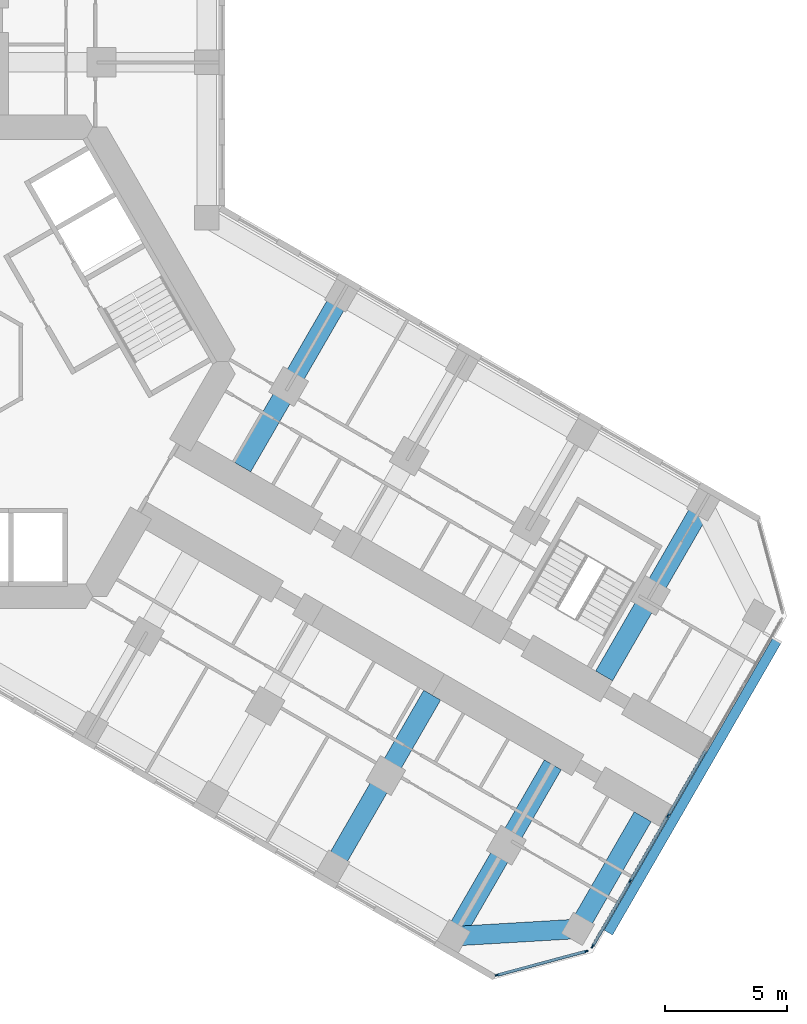
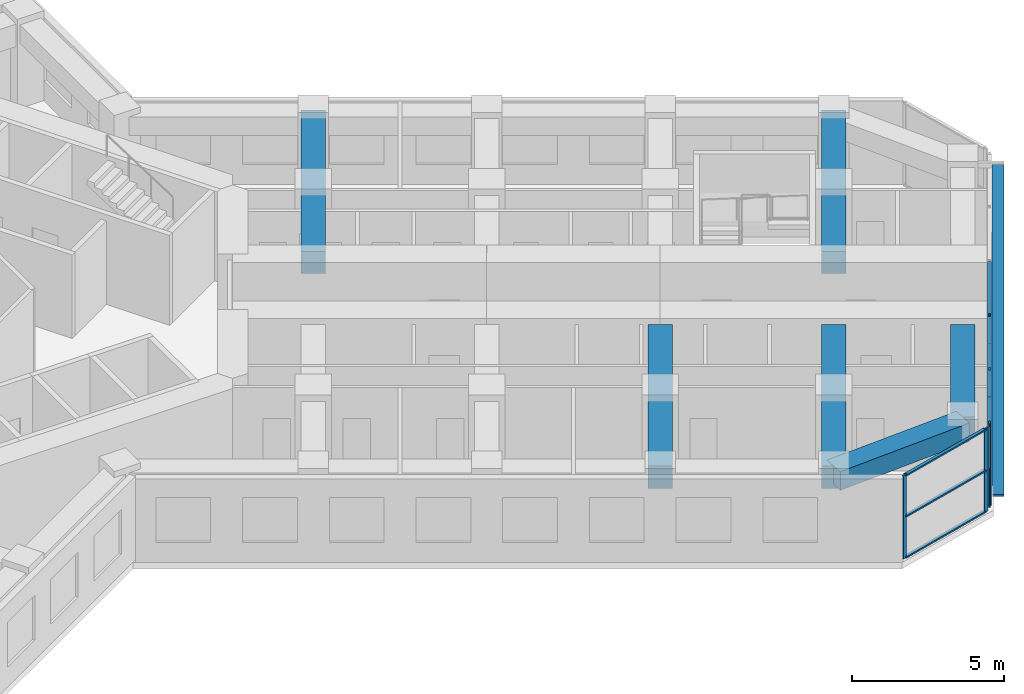
# One storey, part 5 of 21: 15 members, 6 beams, 2 elements without a shape of their own.
"""IFC4 building model written with IfcOpenShell, lengths in metres."""

from ifc_helpers import new_model, si_unit, direction, frame, origin, origin_2d, place, context, subcontext, project, spatial, rectangle, extrude, material, material_profile, profile_set, type_object, element, aggregate, save


model = new_model("IFC4")

# Units and contexts
model_context = context("Model", 3, precision=1e-05, world=origin(), true_north=direction((0.0, 1.0)))
body_context = subcontext(model_context, "Body", "Model", "MODEL_VIEW")
ifc_project = project(units=[si_unit("LENGTHUNIT", "METRE"), si_unit("AREAUNIT", "SQUARE_METRE"), si_unit("VOLUMEUNIT", "CUBIC_METRE"), si_unit("PLANEANGLEUNIT", "RADIAN"), si_unit("MASSUNIT", "GRAM", prefix="KILO")], contexts=[model_context])

# Site, building, storey
site_placement = place(None, origin())
site = spatial("IfcSite", under=ifc_project, at=site_placement, CompositionType="ELEMENT")
building_placement = place(site_placement, origin())
building = spatial("IfcBuilding", under=site, at=building_placement, Name="Kosmar Iwan School Tower", CompositionType="ELEMENT")
storey_placement = place(building_placement, frame((0.0, 0.0, 68.199951171875)))
storey = spatial("IfcBuildingStorey", under=building, at=storey_placement, Name="L16", CompositionType="ELEMENT", Elevation=68.199951171875)

# Member
ifc_material_1 = material(Name="Black anodised aluminium", Category="aluminium")
ifc_material_profile_1 = material_profile(ifc_material_1, rectangle(XDim=0.10009765625, YDim=0.39990234375, at=origin_2d()), Name="FIN 100x400")
ifc_profile_set_1 = profile_set([ifc_material_profile_1], Name="Black anodised aluminium")
member_type_1 = type_object("IfcMemberType", Name="Diagonal fin 100x400", PredefinedType="USERDEFINED", material=ifc_profile_set_1)
member_1_placement = place(storey_placement, frame((26.645263671875, -23.34912109375, -0.14990234375), z_axis=(0.483795538458, 0.837973939202, 0.252470897702), x_axis=(-0.126233699175, -0.218647221293, 0.967604488318)))
element("IfcMember", 1, at=member_1_placement, inside=storey, type_object=member_type_1, Name="Diagonal fin L16-F03", ObjectType="FIN", PredefinedType="USERDEFINED", context=body_context, shape_type="SweptSolid", body=[
    extrude(rectangle(XDim=0.10009765625, YDim=0.39990234375, at=origin_2d()), origin(), (0.0, 0.0, 1.0), 14.258544921875),
])

# Curtain wall, members
ifc_material_2 = material(Name="Dark glass in black aluminium frame", Category="aluminium")
curtain_wall_type_1 = type_object("IfcCurtainWallType", Name="Chamfer curtain wall dark glass", PredefinedType="USERDEFINED", material=ifc_material_2)
curtain_wall_1_placement = place(storey_placement, origin())
curtain_wall_1 = element("IfcCurtainWall", 2, at=curtain_wall_1_placement, inside=storey, type_object=curtain_wall_type_1, Name="Curtain wall L16-F02", ObjectType="FACETED CURTAIN WALL", PredefinedType="USERDEFINED")
ifc_material_3 = material(Name="Black anodised aluminium", Category="aluminium")
ifc_material_profile_2 = material_profile(ifc_material_3, rectangle(XDim=0.06005859375, YDim=0.159912109375, at=origin_2d()), Name="MULLION 60x160")
ifc_profile_set_2 = profile_set([ifc_material_profile_2], Name="Black anodised aluminium")
member_type_2 = type_object("IfcMemberType", Name="Mullion 60x160", PredefinedType="MULLION", material=ifc_profile_set_2)
member_2_placement = place(storey_placement, frame((22.0830078125, -25.102294921875, 0.0), z_axis=(0.0, 0.0, 1.0), x_axis=(-0.258818861462, 0.965925875495, 0.0)))
member_2 = element("IfcMember", 3, at=member_2_placement, type_object=member_type_2, Name="CW2 mullion 1", PredefinedType="MULLION", context=body_context, shape_type="SweptSolid", body=[
    extrude(rectangle(XDim=0.06005859375, YDim=0.159912109375, at=origin_2d()), origin(), (0.0, 0.0, 1.0), 3.35009765625),
])
member_3_placement = place(storey_placement, frame((25.733154296875, -24.124267578125, 0.0), z_axis=(0.0, 0.0, 1.0), x_axis=(-0.258818861462, 0.965925875495, 0.0)))
member_3 = element("IfcMember", 4, at=member_3_placement, type_object=member_type_2, Name="CW2 mullion 2", PredefinedType="MULLION", context=body_context, shape_type="SweptSolid", body=[
    extrude(rectangle(XDim=0.06005859375, YDim=0.159912109375, at=origin_2d()), origin(), (0.0, 0.0, 1.0), 3.35009765625),
])

ifc_material_4 = material(Name="Dark glass in black aluminium frame", Category="aluminium")
curtain_wall_type_2 = type_object("IfcCurtainWallType", Name="Tower curtain wall dark glass", PredefinedType="USERDEFINED", material=ifc_material_4)
curtain_wall_2_placement = place(storey_placement, origin())
curtain_wall_2 = element("IfcCurtainWall", 5, at=curtain_wall_2_placement, inside=storey, type_object=curtain_wall_type_2, Name="Curtain wall L16-F03", ObjectType="UNITISED CURTAIN WALL", PredefinedType="USERDEFINED")
member_4_placement = place(storey_placement, frame((25.9970703125, -23.921630859375, 0.0), z_axis=(0.0, 0.0, 1.0), x_axis=(-0.866025405329, 0.499999997325, 0.0)))
member_4 = element("IfcMember", 6, at=member_4_placement, type_object=member_type_2, Name="CW1 mullion 1", PredefinedType="MULLION", context=body_context, shape_type="SweptSolid", body=[
    extrude(rectangle(XDim=0.06005859375, YDim=0.159912109375, at=origin_2d()), origin(), (0.0, 0.0, 1.0), 3.35009765625),
])
member_5_placement = place(storey_placement, frame((27.53173828125, -21.263671875, 0.0), z_axis=(0.0, 0.0, 1.0), x_axis=(-0.866025405329, 0.499999997325, 0.0)))
member_5 = element("IfcMember", 7, at=member_5_placement, type_object=member_type_2, Name="CW1 mullion 2", PredefinedType="MULLION", context=body_context, shape_type="SweptSolid", body=[
    extrude(rectangle(XDim=0.06005859375, YDim=0.159912109375, at=origin_2d()), origin(), (0.0, 0.0, 1.0), 3.35009765625),
])
member_6_placement = place(storey_placement, frame((29.081298828125, -18.57958984375, 0.0), z_axis=(0.0, 0.0, 1.0), x_axis=(-0.866025405329, 0.499999997325, 0.0)))
member_6 = element("IfcMember", 8, at=member_6_placement, type_object=member_type_2, Name="CW1 mullion 3", PredefinedType="MULLION", context=body_context, shape_type="SweptSolid", body=[
    extrude(rectangle(XDim=0.06005859375, YDim=0.159912109375, at=origin_2d()), origin(), (0.0, 0.0, 1.0), 3.35009765625),
])

# Beams
ifc_material_5 = material(Name="Concrete C50/60", Category="concrete")
ifc_material_profile_3 = material_profile(ifc_material_5, rectangle(XDim=0.800048828125, YDim=0.75, at=origin_2d()), Name="RC 800x750")
ifc_profile_set_3 = profile_set([ifc_material_profile_3], Name="Concrete C50/60")
beam_type_1 = type_object("IfcBeamType", Name="RC tip beam 800x750", PredefinedType="BEAM", material=ifc_profile_set_3)
beam_1_placement = place(storey_placement, frame((20.31787109375, -23.508544921875, 2.97509765625), z_axis=(0.998260616478, 0.058955420358, 0.0), x_axis=(-0.058955420358, 0.998260616478, 0.0)))
element("IfcBeam", 9, at=beam_1_placement, inside=storey, type_object=beam_type_1, Name="Tip beam CR", PredefinedType="BEAM", context=body_context, shape_type="SweptSolid", body=[
    extrude(rectangle(XDim=0.800048828125, YDim=0.75, at=origin_2d()), origin(), (0.0, 0.0, 1.0), 5.08935546875),
])
beam_2_placement = place(storey_placement, frame((25.3984375, -23.20849609375, 2.97509765625), z_axis=(0.499993606316, 0.866029095148, 0.0), x_axis=(-0.866029095148, 0.499993606316, 0.0)))
element("IfcBeam", 10, at=beam_2_placement, inside=storey, type_object=beam_type_1, Name="Tip beam CR to corridor wall", PredefinedType="BEAM", context=body_context, shape_type="SweptSolid", body=[
    extrude(rectangle(XDim=0.800048828125, YDim=0.75, at=origin_2d()), origin(), (0.0, 0.0, 1.0), 5.2998046875),
])
ifc_material_6 = material(Name="Concrete C50/60", Category="concrete")
ifc_material_profile_4 = material_profile(ifc_material_6, rectangle(XDim=0.800048828125, YDim=0.89990234375, at=origin_2d()), Name="RC 800x900")
ifc_profile_set_4 = profile_set([ifc_material_profile_4], Name="Concrete C50/60")
beam_type_2 = type_object("IfcBeamType", Name="RC transverse beam 800x900", PredefinedType="BEAM", material=ifc_profile_set_4)
for number, where, z_axis, x_axis, name in (
    (11, (15.708740234375, 2.70849609375, 2.900146484375), (-0.499999880539, -0.866025472755, 0.0), (0.866025472755, -0.499999880539, 0.0), "Transverse beam CL1"),
    (12, (30.517822265625, -5.841552734375, 2.900146484375), (-0.499999880539, -0.866025472755, 0.0), (0.866025472755, -0.499999880539, 0.0), "Transverse beam CL4"),
    (13, (15.381591796875, -20.658447265625, 2.900146484375), (0.499977274689, 0.866038523851, 0.0), (-0.866038523851, 0.499977274689, 0.0), "Transverse beam CR3"),
    (14, (20.31787109375, -23.508544921875, 2.900146484375), (0.499999880539, 0.866025472755, 0.0), (-0.866025472755, 0.499999880539, 0.0), "Transverse beam CR4"),
):
    element("IfcBeam", number, at=place(storey_placement, frame(where, z_axis=z_axis, x_axis=x_axis)), inside=storey, type_object=beam_type_2, Name=name, PredefinedType="BEAM", context=body_context, shape_type="SweptSolid", body=[
        extrude(rectangle(XDim=0.800048828125, YDim=0.89990234375, at=origin_2d()), origin(), (0.0, 0.0, 1.0), 8.10009765625),
    ])

# Member
ifc_material_7 = material(Name="Black anodised aluminium", Category="aluminium")
ifc_material_profile_5 = material_profile(ifc_material_7, rectangle(XDim=0.1201171875, YDim=0.06005859375, at=origin_2d()), Name="TRANSOM 60x120")
ifc_profile_set_5 = profile_set([ifc_material_profile_5], Name="Black anodised aluminium")
member_type_3 = type_object("IfcMemberType", Name="Transom 60x120", PredefinedType="USERDEFINED", material=ifc_profile_set_5)
member_7_placement = place(storey_placement, frame((22.11181640625, -25.094482421875, 0.030029296875), z_axis=(0.965923731726, 0.258826861991, 0.0), x_axis=(-0.258826861991, 0.965923731726, 0.0)))
member_7 = element("IfcMember", 15, at=member_7_placement, type_object=member_type_3, Name="CW2 transom 1.1", ObjectType="TRANSOM", PredefinedType="USERDEFINED", context=body_context, shape_type="SweptSolid", body=[
    extrude(rectangle(XDim=0.1201171875, YDim=0.06005859375, at=origin_2d()), origin(), (0.0, 0.0, 1.0), 3.71923828125),
])

member_8_placement = place(storey_placement, frame((22.11181640625, -25.094482421875, 1.675048828125), z_axis=(0.965923731726, 0.258826861991, 0.0), x_axis=(-0.258826861991, 0.965923731726, 0.0)))
member_8 = element("IfcMember", 16, at=member_8_placement, type_object=member_type_3, Name="CW2 transom 1.2", ObjectType="TRANSOM", PredefinedType="USERDEFINED", context=body_context, shape_type="SweptSolid", body=[
    extrude(rectangle(XDim=0.1201171875, YDim=0.06005859375, at=origin_2d()), origin(), (0.0, 0.0, 1.0), 3.71923828125),
])

member_9_placement = place(storey_placement, frame((22.11181640625, -25.094482421875, 3.320068359375), z_axis=(0.965923731726, 0.258826861991, 0.0), x_axis=(-0.258826861991, 0.965923731726, 0.0)))
member_9 = element("IfcMember", 17, at=member_9_placement, type_object=member_type_3, Name="CW2 transom 1.3", ObjectType="TRANSOM", PredefinedType="USERDEFINED", context=body_context, shape_type="SweptSolid", body=[
    extrude(rectangle(XDim=0.1201171875, YDim=0.06005859375, at=origin_2d()), origin(), (0.0, 0.0, 1.0), 3.71923828125),
])

aggregate(curtain_wall_1, [member_2, member_3, member_7, member_8, member_9])

member_10_placement = place(storey_placement, frame((26.01220703125, -23.895751953125, 0.030029296875), z_axis=(0.499986971506, 0.866032925658, 0.0), x_axis=(-0.866032925658, 0.499986971506, 0.0)))
member_10 = element("IfcMember", 18, at=member_10_placement, type_object=member_type_3, Name="CW1 transom 1.1", ObjectType="TRANSOM", PredefinedType="USERDEFINED", context=body_context, shape_type="SweptSolid", body=[
    extrude(rectangle(XDim=0.1201171875, YDim=0.06005859375, at=origin_2d()), origin(), (0.0, 0.0, 1.0), 3.00927734375),
])

member_11_placement = place(storey_placement, frame((26.01220703125, -23.895751953125, 3.320068359375), z_axis=(0.499986971506, 0.866032925658, 0.0), x_axis=(-0.866032925658, 0.499986971506, 0.0)))
member_11 = element("IfcMember", 19, at=member_11_placement, type_object=member_type_3, Name="CW1 transom 1.2", ObjectType="TRANSOM", PredefinedType="USERDEFINED", context=body_context, shape_type="SweptSolid", body=[
    extrude(rectangle(XDim=0.1201171875, YDim=0.06005859375, at=origin_2d()), origin(), (0.0, 0.0, 1.0), 3.00927734375),
])

member_12_placement = place(storey_placement, frame((27.546875, -21.237548828125, 0.030029296875), z_axis=(0.499975102327, 0.866039777986, 0.0), x_axis=(-0.866039777986, 0.499975102327, 0.0)))
member_12 = element("IfcMember", 20, at=member_12_placement, type_object=member_type_3, Name="CW1 transom 2.1", ObjectType="TRANSOM", PredefinedType="USERDEFINED", context=body_context, shape_type="SweptSolid", body=[
    extrude(rectangle(XDim=0.1201171875, YDim=0.06005859375, at=origin_2d()), origin(), (0.0, 0.0, 1.0), 3.039306640625),
])

member_13_placement = place(storey_placement, frame((27.546875, -21.237548828125, 3.320068359375), z_axis=(0.499975102327, 0.866039777986, 0.0), x_axis=(-0.866039777986, 0.499975102327, 0.0)))
member_13 = element("IfcMember", 21, at=member_13_placement, type_object=member_type_3, Name="CW1 transom 2.2", ObjectType="TRANSOM", PredefinedType="USERDEFINED", context=body_context, shape_type="SweptSolid", body=[
    extrude(rectangle(XDim=0.1201171875, YDim=0.06005859375, at=origin_2d()), origin(), (0.0, 0.0, 1.0), 3.039306640625),
])

member_14_placement = place(storey_placement, frame((29.096435546875, -18.553466796875, 0.030029296875), z_axis=(0.499975102327, 0.866039777986, 0.0), x_axis=(-0.866039777986, 0.499975102327, 0.0)))
member_14 = element("IfcMember", 22, at=member_14_placement, type_object=member_type_3, Name="CW1 transom 3.1", ObjectType="TRANSOM", PredefinedType="USERDEFINED", context=body_context, shape_type="SweptSolid", body=[
    extrude(rectangle(XDim=0.1201171875, YDim=0.06005859375, at=origin_2d()), origin(), (0.0, 0.0, 1.0), 3.039306640625),
])

member_15_placement = place(storey_placement, frame((29.096435546875, -18.553466796875, 3.320068359375), z_axis=(0.499975102327, 0.866039777986, 0.0), x_axis=(-0.866039777986, 0.499975102327, 0.0)))
member_15 = element("IfcMember", 23, at=member_15_placement, type_object=member_type_3, Name="CW1 transom 3.2", ObjectType="TRANSOM", PredefinedType="USERDEFINED", context=body_context, shape_type="SweptSolid", body=[
    extrude(rectangle(XDim=0.1201171875, YDim=0.06005859375, at=origin_2d()), origin(), (0.0, 0.0, 1.0), 3.039306640625),
])

aggregate(curtain_wall_2, [member_4, member_5, member_6, member_10, member_11, member_12, member_13, member_14, member_15])

save(model, "model.ifc")
